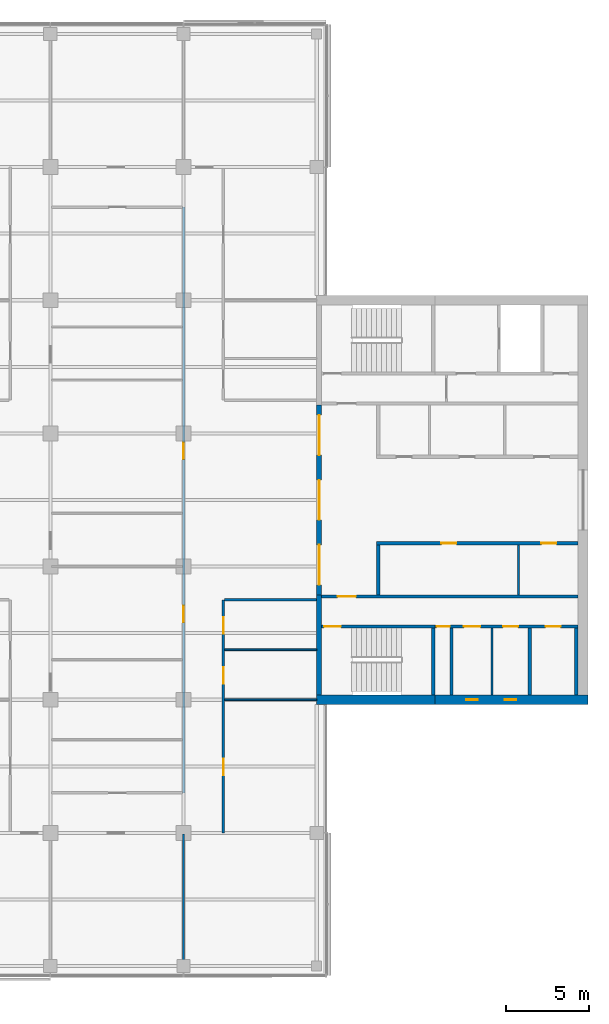
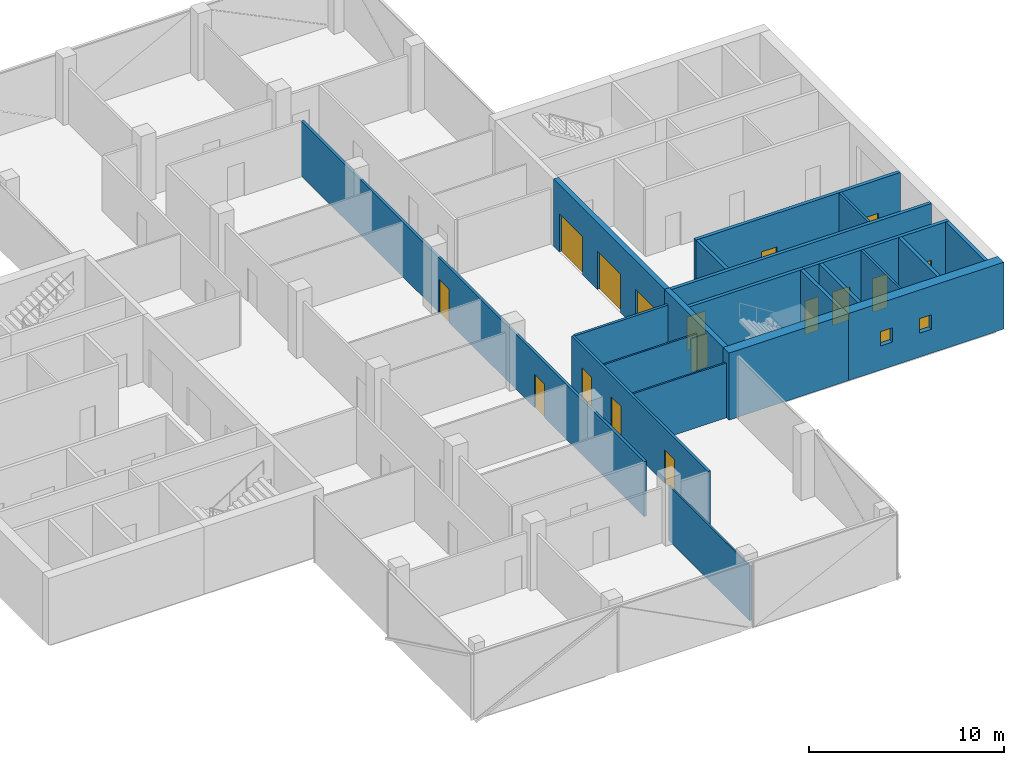
# One storey, part 10 of 15: 21 walls, 16 doors, 2 windows, 18 openings.
"""IFC4 building model written with IfcOpenShell, lengths in metres."""

from ifc_helpers import new_model, si_unit, direction, frame, frame_2d, origin, place, context, subcontext, project, spatial, rectangle, extrude, material, layer, layer_set, constituent, constituent_set, type_object, element, fill, save


model = new_model("IFC4")

# Units and contexts
model_context = context("Model", 3, precision=1e-05, world=origin(), true_north=direction((0.0, 1.0)))
body_context = subcontext(model_context, "Body", "Model", "MODEL_VIEW")
ifc_project = project(units=[si_unit("LENGTHUNIT", "METRE"), si_unit("AREAUNIT", "SQUARE_METRE"), si_unit("VOLUMEUNIT", "CUBIC_METRE"), si_unit("PLANEANGLEUNIT", "RADIAN"), si_unit("MASSUNIT", "GRAM", prefix="KILO")], contexts=[model_context])

# Site, building, storey
site_placement = place(None, origin())
site = spatial("IfcSite", under=ifc_project, at=site_placement, CompositionType="ELEMENT")
building_placement = place(site_placement, origin())
building = spatial("IfcBuilding", under=site, at=building_placement, Name="Crosswind Convention Tower", CompositionType="ELEMENT")
storey_placement = place(building_placement, frame((0.0, 0.0, 195.699951171875)))
storey = spatial("IfcBuildingStorey", under=building, at=storey_placement, Name="L41", CompositionType="ELEMENT", Elevation=195.699951171875)

# Wall
ifc_material_1 = material(Name="Concrete blockwork", Category="masonry")
ifc_layer_1 = layer(ifc_material_1, 0.199951171875)
ifc_layer_set_1 = layer_set([ifc_layer_1], Name="Blockwork partition wall 200")
wall_type_1 = type_object("IfcWallType", Name="Blockwork partition wall 200", PredefinedType="PARTITIONING", material=ifc_layer_set_1)
wall_1_placement = place(storey_placement, frame((145.10009765625, 88.300048828125, 0.0), z_axis=(0.0, 0.0, 1.0), x_axis=(0.0, 1.0, 0.0)))
element("IfcWall", 1, at=wall_1_placement, inside=storey, type_object=wall_type_1, Name="Wall MRSE E L41", PredefinedType="PARTITIONING", context=body_context, shape_type="SweptSolid", body=[
    extrude(rectangle(XDim=4.0, YDim=0.199951171875, at=frame_2d((2.0, 0.0))), origin(), (0.0, 0.0, 1.0), 4.199951171875),
])

# Wall, openings, doors
ifc_material_2 = material(Name="Concrete C50/60", Category="concrete")
ifc_layer_2 = layer(ifc_material_2, 0.300048828125)
ifc_layer_set_2 = layer_set([ifc_layer_2], Name="Concrete C50/60")
wall_type_2 = type_object("IfcWallType", Name="Concrete inner core wall 300", PredefinedType="SHEAR", material=ifc_layer_set_2)
wall_2_placement = place(storey_placement, frame((137.14990234375, 94.300048828125, 0.0), z_axis=(0.0, 0.0, 1.0), x_axis=(0.0, 1.0, 0.0)))
wall_2 = element("IfcWall", 2, at=wall_2_placement, inside=storey, type_object=wall_type_2, Name="Wall SCR E L41", PredefinedType="SHEAR", context=body_context, shape_type="SweptSolid", body=[
    extrude(rectangle(XDim=11.39990234375, YDim=0.300048828125, at=frame_2d((5.699951171875, 0.0))), origin(), (0.0, 0.0, 1.0), 4.199951171875),
])
opening_1_placement = place(wall_2_placement, frame((0.60009765625, 0.0, 0.0)))
opening_1 = element("IfcOpeningElement", 3, at=opening_1_placement, cuts=wall_2, Name="Opening D100", PredefinedType="OPENING", context=body_context, shape_type="SweptSolid", body=[
    extrude(rectangle(XDim=2.39990234375, YDim=2.39990234375, at=frame_2d((1.199951171875, 1.199951171875))), frame((0.0, 0.159912109375, 0.0), z_axis=(0.0, -1.0, 0.0), x_axis=(1.0, 0.0, 0.0)), (0.0, 0.0, 1.0), 0.320068359375),
])
opening_2_placement = place(wall_2_placement, frame((4.5, 0.0, 0.0)))
opening_2 = element("IfcOpeningElement", 4, at=opening_2_placement, cuts=wall_2, Name="Opening D100", PredefinedType="OPENING", context=body_context, shape_type="SweptSolid", body=[
    extrude(rectangle(XDim=2.39990234375, YDim=2.39990234375, at=frame_2d((1.199951171875, 1.199951171875))), frame((0.0, 0.159912109375, 0.0), z_axis=(0.0, -1.0, 0.0), x_axis=(1.0, 0.0, 0.0)), (0.0, 0.0, 1.0), 0.320068359375),
])
opening_3_placement = place(wall_2_placement, frame((8.39990234375, 0.0, 0.0)))
opening_3 = element("IfcOpeningElement", 5, at=opening_3_placement, cuts=wall_2, Name="Opening D100", PredefinedType="OPENING", context=body_context, shape_type="SweptSolid", body=[
    extrude(rectangle(XDim=2.39990234375, YDim=2.39990234375, at=frame_2d((1.199951171875, 1.199951171875))), frame((0.0, 0.159912109375, 0.0), z_axis=(0.0, -1.0, 0.0), x_axis=(1.0, 0.0, 0.0)), (0.0, 0.0, 1.0), 0.320068359375),
])
ifc_material_3 = material(Name="Steel fire door with glazed vision panels", Category="steel")
door_type_1 = type_object("IfcDoorType", Name="Fire-rated double door 2400x2400", OperationType="DOUBLE_DOOR_SINGLE_SWING", PredefinedType="DOOR", material=ifc_material_3)
door_1_placement = place(opening_1_placement, origin())
door_1 = element("IfcDoor", 6, at=door_1_placement, inside=storey, type_object=door_type_1, Name="Lobby door 1 L41", ObjectType="D100", OperationType="DOUBLE_DOOR_SINGLE_SWING", OverallHeight=2.39990234375, OverallWidth=2.39990234375, PredefinedType="DOOR", context=body_context, shape_type="SweptSolid", body=[
    extrude(rectangle(XDim=2.39990234375, YDim=2.39990234375, at=frame_2d((1.199951171875, 1.199951171875))), frame((0.0, 0.02490234375, 0.0), z_axis=(0.0, -1.0, 0.0), x_axis=(1.0, 0.0, 0.0)), (0.0, 0.0, 1.0), 0.050048828125),
])
fill(opening_1, door_1)
door_2_placement = place(opening_2_placement, origin())
door_2 = element("IfcDoor", 7, at=door_2_placement, inside=storey, type_object=door_type_1, Name="Lobby door 2 L41", ObjectType="D100", OperationType="DOUBLE_DOOR_SINGLE_SWING", OverallHeight=2.39990234375, OverallWidth=2.39990234375, PredefinedType="DOOR", context=body_context, shape_type="SweptSolid", body=[
    extrude(rectangle(XDim=2.39990234375, YDim=2.39990234375, at=frame_2d((1.199951171875, 1.199951171875))), frame((0.0, 0.02490234375, 0.0), z_axis=(0.0, -1.0, 0.0), x_axis=(1.0, 0.0, 0.0)), (0.0, 0.0, 1.0), 0.050048828125),
])
fill(opening_2, door_2)
door_3_placement = place(opening_3_placement, origin())
door_3 = element("IfcDoor", 8, at=door_3_placement, inside=storey, type_object=door_type_1, Name="Lobby door 3 L41", ObjectType="D100", OperationType="DOUBLE_DOOR_SINGLE_SWING", OverallHeight=2.39990234375, OverallWidth=2.39990234375, PredefinedType="DOOR", context=body_context, shape_type="SweptSolid", body=[
    extrude(rectangle(XDim=2.39990234375, YDim=2.39990234375, at=frame_2d((1.199951171875, 1.199951171875))), frame((0.0, 0.02490234375, 0.0), z_axis=(0.0, -1.0, 0.0), x_axis=(1.0, 0.0, 0.0)), (0.0, 0.0, 1.0), 0.050048828125),
])
fill(opening_3, door_3)

# Walls
wall_3_placement = place(storey_placement, frame((137.14990234375, 88.300048828125, 0.0), z_axis=(0.0, 0.0, 1.0), x_axis=(0.0, 1.0, 0.0)))
element("IfcWall", 9, at=wall_3_placement, inside=storey, type_object=wall_type_2, Name="Wall EM E L41", PredefinedType="SHEAR", context=body_context, shape_type="SweptSolid", body=[
    extrude(rectangle(XDim=6.0, YDim=0.300048828125, at=frame_2d((3.0, 0.0))), origin(), (0.0, 0.0, 1.0), 4.199951171875),
])
ifc_layer_3 = layer(ifc_material_2, 0.199951171875)
ifc_layer_set_3 = layer_set([ifc_layer_3], Name="Concrete C50/60")
wall_type_3 = type_object("IfcWallType", Name="Concrete shaft and stair wall 200", PredefinedType="SHEAR", material=ifc_layer_set_3)
wall_4_placement = place(storey_placement, frame((140.699951171875, 94.300048828125, 0.0), z_axis=(0.0, 0.0, 1.0), x_axis=(0.0, 1.0, 0.0)))
element("IfcWall", 10, at=wall_4_placement, inside=storey, type_object=wall_type_3, Name="Wall RMEND E L41", PredefinedType="SHEAR", context=body_context, shape_type="SweptSolid", body=[
    extrude(rectangle(XDim=3.0, YDim=0.199951171875, at=frame_2d((1.5, 0.0))), origin(), (0.0, 0.0, 1.0), 4.199951171875),
])

# Wall, openings, doors
wall_5_placement = place(storey_placement, frame((140.60009765625, 97.39990234375, 0.0), z_axis=(0.0, 0.0, 1.0), x_axis=(1.0, 0.0, 0.0)))
wall_5 = element("IfcWall", 11, at=wall_5_placement, inside=storey, type_object=wall_type_3, Name="Wall RMFRONT E L41", PredefinedType="SHEAR", context=body_context, shape_type="SweptSolid", body=[
    extrude(rectangle(XDim=12.099853515625, YDim=0.199951171875, at=frame_2d((6.0498046875, 0.0))), origin(), (0.0, 0.0, 1.0), 4.199951171875),
])
opening_4_placement = place(wall_5_placement, frame((3.8837890625, 0.0, 0.0)))
opening_4 = element("IfcOpeningElement", 12, at=opening_4_placement, cuts=wall_5, Name="Opening D106", PredefinedType="OPENING", context=body_context, shape_type="SweptSolid", body=[
    extrude(rectangle(XDim=0.89990234375, YDim=2.10009765625, at=frame_2d((0.449951171875, 1.050048828125))), frame((0.0, 0.10986328125, 0.0), z_axis=(0.0, -1.0, 0.0), x_axis=(1.0, 0.0, 0.0)), (0.0, 0.0, 1.0), 0.219970703125),
])
opening_5_placement = place(wall_5_placement, frame((9.896240234375, 0.0, 0.0)))
opening_5 = element("IfcOpeningElement", 13, at=opening_5_placement, cuts=wall_5, Name="Opening D106", PredefinedType="OPENING", context=body_context, shape_type="SweptSolid", body=[
    extrude(rectangle(XDim=0.89990234375, YDim=2.10009765625, at=frame_2d((0.449951171875, 1.050048828125))), frame((0.0, 0.10986328125, 0.0), z_axis=(0.0, -1.0, 0.0), x_axis=(1.0, 0.0, 0.0)), (0.0, 0.0, 1.0), 0.219970703125),
])
ifc_material_4 = material(Name="Timber door", Category="wood")
door_type_2 = type_object("IfcDoorType", Name="Single leaf door 900x2100", OperationType="NOTDEFINED", PredefinedType="DOOR", material=ifc_material_4)
door_4_placement = place(opening_4_placement, frame((0.89990234375, 0.0, 0.0), z_axis=(0.0, 0.0, 1.0), x_axis=(-1.0, 0.0, 0.0)))
door_4 = element("IfcDoor", 14, at=door_4_placement, inside=storey, type_object=door_type_2, Name="Door to pantry L41", ObjectType="D106", OperationType="SINGLE_SWING_LEFT", OverallHeight=2.10009765625, OverallWidth=0.89990234375, PredefinedType="DOOR", context=body_context, shape_type="SweptSolid", body=[
    extrude(rectangle(XDim=0.89990234375, YDim=2.10009765625, at=frame_2d((0.449951171875, 1.050048828125))), frame((0.0, 0.02490234375, 0.0), z_axis=(0.0, -1.0, 0.0), x_axis=(1.0, 0.0, 0.0)), (0.0, 0.0, 1.0), 0.050048828125),
])
fill(opening_4, door_4)
door_5_placement = place(opening_5_placement, frame((0.89990234375, 0.0, 0.0), z_axis=(0.0, 0.0, 1.0), x_axis=(-1.0, 0.0, 0.0)))
door_5 = element("IfcDoor", 15, at=door_5_placement, inside=storey, type_object=door_type_2, Name="Door to telecoms room L41", ObjectType="D106", OperationType="SINGLE_SWING_LEFT", OverallHeight=2.10009765625, OverallWidth=0.89990234375, PredefinedType="DOOR", context=body_context, shape_type="SweptSolid", body=[
    extrude(rectangle(XDim=0.89990234375, YDim=2.10009765625, at=frame_2d((0.449951171875, 1.050048828125))), frame((0.0, 0.02490234375, 0.0), z_axis=(0.0, -1.0, 0.0), x_axis=(1.0, 0.0, 0.0)), (0.0, 0.0, 1.0), 0.050048828125),
])
fill(opening_5, door_5)

# Wall, opening, door
wall_6_placement = place(storey_placement, frame((137.300048828125, 94.199951171875, 0.0), z_axis=(0.0, 0.0, 1.0), x_axis=(1.0, 0.0, 0.0)))
wall_6 = element("IfcWall", 16, at=wall_6_placement, inside=storey, type_object=wall_type_3, Name="Wall HM E L41", PredefinedType="SHEAR", context=body_context, shape_type="SweptSolid", body=[
    extrude(rectangle(XDim=15.39990234375, YDim=0.199951171875, at=frame_2d((7.699951171875, 0.0))), origin(), (0.0, 0.0, 1.0), 4.199951171875),
])
opening_6_placement = place(wall_6_placement, frame((0.949951171875, 0.0, 0.0)))
opening_6 = element("IfcOpeningElement", 17, at=opening_6_placement, cuts=wall_6, Name="Opening D104", PredefinedType="OPENING", context=body_context, shape_type="SweptSolid", body=[
    extrude(rectangle(XDim=1.10009765625, YDim=2.10009765625, at=frame_2d((0.550048828125, 1.050048828125))), frame((0.0, 0.10986328125, 0.0), z_axis=(0.0, -1.0, 0.0), x_axis=(1.0, 0.0, 0.0)), (0.0, 0.0, 1.0), 0.219970703125),
])
ifc_material_5 = material(Name="Steel fire door", Category="steel")
door_type_3 = type_object("IfcDoorType", Name="Fire-rated single door 1100x2100", OperationType="NOTDEFINED", PredefinedType="DOOR", material=ifc_material_5)
door_6_placement = place(opening_6_placement, origin())
door_6 = element("IfcDoor", 18, at=door_6_placement, inside=storey, type_object=door_type_3, Name="Corridor door L41", ObjectType="D104", OperationType="SINGLE_SWING_LEFT", OverallHeight=2.10009765625, OverallWidth=1.10009765625, PredefinedType="DOOR", context=body_context, shape_type="SweptSolid", body=[
    extrude(rectangle(XDim=1.10009765625, YDim=2.10009765625, at=frame_2d((0.550048828125, 1.050048828125))), frame((0.0, 0.02490234375, 0.0), z_axis=(0.0, -1.0, 0.0), x_axis=(1.0, 0.0, 0.0)), (0.0, 0.0, 1.0), 0.050048828125),
])
fill(opening_6, door_6)

# Walls
for number, where, z_axis, x_axis, name in (
    (19, (144.0, 88.300048828125, 0.0), (0.0, 0.0, 1.0), (0.0, 1.0, 0.0), "Wall MSE E L41"),
    (20, (149.800048828125, 88.300048828125, 0.0), (0.0, 0.0, 1.0), (0.0, 1.0, 0.0), "Wall MFSW E L41"),
    (21, (152.60009765625, 88.300048828125, 0.0), (0.0, 0.0, 1.0), (0.0, 1.0, 0.0), "Wall MFSE E L41"),
):
    element("IfcWall", number, at=place(storey_placement, frame(where, z_axis=z_axis, x_axis=x_axis)), inside=storey, type_object=wall_type_3, Name=name, PredefinedType="SHEAR", context=body_context, shape_type="SweptSolid", body=[
        extrude(rectangle(XDim=4.0, YDim=0.199951171875, at=frame_2d((2.0, 0.0))), origin(), (0.0, 0.0, 1.0), 4.199951171875),
    ])

# Wall, opening, door
wall_7_placement = place(storey_placement, frame((137.300048828125, 92.39990234375, 0.0), z_axis=(0.0, 0.0, 1.0), x_axis=(1.0, 0.0, 0.0)))
wall_7 = element("IfcWall", 22, at=wall_7_placement, inside=storey, type_object=wall_type_3, Name="Wall MCW E L41", PredefinedType="SHEAR", context=body_context, shape_type="SweptSolid", body=[
    extrude(rectangle(XDim=6.800048828125, YDim=0.199951171875, at=frame_2d((3.39990234375, 0.0))), origin(), (0.0, 0.0, 1.0), 4.199951171875),
])
opening_7_placement = place(wall_7_placement, frame((0.14990234375, 0.0, 0.0)))
opening_7 = element("IfcOpeningElement", 23, at=opening_7_placement, cuts=wall_7, Name="Opening D103", PredefinedType="OPENING", context=body_context, shape_type="SweptSolid", body=[
    extrude(rectangle(XDim=1.0, YDim=2.10009765625, at=frame_2d((0.5, 1.050048828125))), frame((0.0, 0.10986328125, 0.0), z_axis=(0.0, -1.0, 0.0), x_axis=(1.0, 0.0, 0.0)), (0.0, 0.0, 1.0), 0.219970703125),
])
door_type_4 = type_object("IfcDoorType", Name="Fire-rated single door 1000x2100", OperationType="NOTDEFINED", PredefinedType="DOOR", material=ifc_material_5)
door_7_placement = place(opening_7_placement, frame((1.0, 0.0, 0.0), z_axis=(0.0, 0.0, 1.0), x_axis=(-1.0, 0.0, 0.0)))
door_7 = element("IfcDoor", 24, at=door_7_placement, inside=storey, type_object=door_type_4, Name="Stair ST2 door L41", ObjectType="D103", OperationType="SINGLE_SWING_RIGHT", OverallHeight=2.10009765625, OverallWidth=1.0, PredefinedType="DOOR", context=body_context, shape_type="SweptSolid", body=[
    extrude(rectangle(XDim=1.0, YDim=2.10009765625, at=frame_2d((0.5, 1.050048828125))), frame((0.0, 0.02490234375, 0.0), z_axis=(0.0, -1.0, 0.0), x_axis=(1.0, 0.0, 0.0)), (0.0, 0.0, 1.0), 0.050048828125),
])
fill(opening_7, door_7)

# Wall, openings, doors
wall_8_placement = place(storey_placement, frame((144.10009765625, 92.39990234375, 0.0), z_axis=(0.0, 0.0, 1.0), x_axis=(1.0, 0.0, 0.0)))
wall_8 = element("IfcWall", 25, at=wall_8_placement, inside=storey, type_object=wall_type_3, Name="Wall MCX E L41", PredefinedType="SHEAR", context=body_context, shape_type="SweptSolid", body=[
    extrude(rectangle(XDim=8.599853515625, YDim=0.199951171875, at=frame_2d((4.2998046875, 0.0))), origin(), (0.0, 0.0, 1.0), 4.199951171875),
])
opening_8_placement = place(wall_8_placement, frame((0.10009765625, 0.0, 0.0)))
opening_8 = element("IfcOpeningElement", 26, at=opening_8_placement, cuts=wall_8, Name="Opening D105", PredefinedType="OPENING", context=body_context, shape_type="SweptSolid", body=[
    extrude(rectangle(XDim=0.800048828125, YDim=2.10009765625, at=frame_2d((0.39990234375, 1.050048828125))), frame((0.0, 0.10986328125, 0.0), z_axis=(0.0, -1.0, 0.0), x_axis=(1.0, 0.0, 0.0)), (0.0, 0.0, 1.0), 0.219970703125),
])
opening_9_placement = place(wall_8_placement, frame((1.73876953125, 0.0, 0.0)))
opening_9 = element("IfcOpeningElement", 27, at=opening_9_placement, cuts=wall_8, Name="Opening D103", PredefinedType="OPENING", context=body_context, shape_type="SweptSolid", body=[
    extrude(rectangle(XDim=1.0, YDim=2.10009765625, at=frame_2d((0.5, 1.050048828125))), frame((0.0, 0.10986328125, 0.0), z_axis=(0.0, -1.0, 0.0), x_axis=(1.0, 0.0, 0.0)), (0.0, 0.0, 1.0), 0.219970703125),
])
opening_10_placement = place(wall_8_placement, frame((4.101318359375, 0.0, 0.0)))
opening_10 = element("IfcOpeningElement", 28, at=opening_10_placement, cuts=wall_8, Name="Opening D106", PredefinedType="OPENING", context=body_context, shape_type="SweptSolid", body=[
    extrude(rectangle(XDim=0.89990234375, YDim=2.10009765625, at=frame_2d((0.449951171875, 1.050048828125))), frame((0.0, 0.10986328125, 0.0), z_axis=(0.0, -1.0, 0.0), x_axis=(1.0, 0.0, 0.0)), (0.0, 0.0, 1.0), 0.219970703125),
])
opening_11_placement = place(wall_8_placement, frame((6.64990234375, 0.0, 0.0)))
opening_11 = element("IfcOpeningElement", 29, at=opening_11_placement, cuts=wall_8, Name="Opening D106", PredefinedType="OPENING", context=body_context, shape_type="SweptSolid", body=[
    extrude(rectangle(XDim=0.89990234375, YDim=2.10009765625, at=frame_2d((0.449951171875, 1.050048828125))), frame((0.0, 0.10986328125, 0.0), z_axis=(0.0, -1.0, 0.0), x_axis=(1.0, 0.0, 0.0)), (0.0, 0.0, 1.0), 0.219970703125),
])
door_8_placement = place(opening_9_placement, frame((1.0, 0.0, 0.0), z_axis=(0.0, 0.0, 1.0), x_axis=(-1.0, 0.0, 0.0)))
door_8 = element("IfcDoor", 30, at=door_8_placement, inside=storey, type_object=door_type_4, Name="Door to accessible wc L41", ObjectType="D103", OperationType="SINGLE_SWING_LEFT", OverallHeight=2.10009765625, OverallWidth=1.0, PredefinedType="DOOR", context=body_context, shape_type="SweptSolid", body=[
    extrude(rectangle(XDim=1.0, YDim=2.10009765625, at=frame_2d((0.5, 1.050048828125))), frame((0.0, 0.02490234375, 0.0), z_axis=(0.0, -1.0, 0.0), x_axis=(1.0, 0.0, 0.0)), (0.0, 0.0, 1.0), 0.050048828125),
])
fill(opening_9, door_8)
door_type_5 = type_object("IfcDoorType", Name="Riser access door 800x2100", OperationType="NOTDEFINED", PredefinedType="DOOR", material=ifc_material_5)
door_9_placement = place(opening_8_placement, frame((0.800048828125, 0.0, 0.0), z_axis=(0.0, 0.0, 1.0), x_axis=(-1.0, 0.0, 0.0)))
door_9 = element("IfcDoor", 31, at=door_9_placement, inside=storey, type_object=door_type_5, Name="Riser door L41", ObjectType="D105", OperationType="SINGLE_SWING_LEFT", OverallHeight=2.10009765625, OverallWidth=0.800048828125, PredefinedType="DOOR", context=body_context, shape_type="SweptSolid", body=[
    extrude(rectangle(XDim=0.800048828125, YDim=2.10009765625, at=frame_2d((0.39990234375, 1.050048828125))), frame((0.0, 0.02490234375, 0.0), z_axis=(0.0, -1.0, 0.0), x_axis=(1.0, 0.0, 0.0)), (0.0, 0.0, 1.0), 0.050048828125),
])
fill(opening_8, door_9)
door_10_placement = place(opening_10_placement, frame((0.89990234375, 0.0, 0.0), z_axis=(0.0, 0.0, 1.0), x_axis=(-1.0, 0.0, 0.0)))
door_10 = element("IfcDoor", 32, at=door_10_placement, inside=storey, type_object=door_type_2, Name="Door to wc L41", ObjectType="D106", OperationType="SINGLE_SWING_LEFT", OverallHeight=2.10009765625, OverallWidth=0.89990234375, PredefinedType="DOOR", context=body_context, shape_type="SweptSolid", body=[
    extrude(rectangle(XDim=0.89990234375, YDim=2.10009765625, at=frame_2d((0.449951171875, 1.050048828125))), frame((0.0, 0.02490234375, 0.0), z_axis=(0.0, -1.0, 0.0), x_axis=(1.0, 0.0, 0.0)), (0.0, 0.0, 1.0), 0.050048828125),
])
fill(opening_10, door_10)
door_11_placement = place(opening_11_placement, frame((0.89990234375, 0.0, 0.0), z_axis=(0.0, 0.0, 1.0), x_axis=(-1.0, 0.0, 0.0)))
door_11 = element("IfcDoor", 33, at=door_11_placement, inside=storey, type_object=door_type_2, Name="Door to wc L41", ObjectType="D106", OperationType="SINGLE_SWING_LEFT", OverallHeight=2.10009765625, OverallWidth=0.89990234375, PredefinedType="DOOR", context=body_context, shape_type="SweptSolid", body=[
    extrude(rectangle(XDim=0.89990234375, YDim=2.10009765625, at=frame_2d((0.449951171875, 1.050048828125))), frame((0.0, 0.02490234375, 0.0), z_axis=(0.0, -1.0, 0.0), x_axis=(1.0, 0.0, 0.0)), (0.0, 0.0, 1.0), 0.050048828125),
])
fill(opening_11, door_11)

# Walls
ifc_material_6 = material(Name="Gypsum plasterboard partition", Category="gypsum")
ifc_layer_4 = layer(ifc_material_6, 0.125)
ifc_layer_set_4 = layer_set([ifc_layer_4], Name="Drywall partition wall 125")
wall_type_4 = type_object("IfcWallType", Name="Drywall partition wall 125", PredefinedType="PARTITIONING", material=ifc_layer_set_4)
wall_9_placement = place(storey_placement, frame((149.1298828125, 94.300048828125, 0.0), z_axis=(0.0, 0.0, 1.0), x_axis=(0.0, 1.0, 0.0)))
element("IfcWall", 34, at=wall_9_placement, inside=storey, type_object=wall_type_4, Name="Wall RMP1 E L41", PredefinedType="PARTITIONING", context=body_context, shape_type="SweptSolid", body=[
    extrude(rectangle(XDim=3.0, YDim=0.125, at=frame_2d((1.5, 0.0))), origin(), (0.0, 0.0, 1.0), 4.199951171875),
])
wall_10_placement = place(storey_placement, frame((147.5400390625, 88.300048828125, 0.0), z_axis=(0.0, 0.0, 1.0), x_axis=(0.0, 1.0, 0.0)))
element("IfcWall", 35, at=wall_10_placement, inside=storey, type_object=wall_type_4, Name="Wall MWP1 E L41", PredefinedType="PARTITIONING", context=body_context, shape_type="SweptSolid", body=[
    extrude(rectangle(XDim=4.0, YDim=0.125, at=frame_2d((2.0, 0.0))), origin(), (0.0, 0.0, 1.0), 4.199951171875),
])
ifc_material_7 = material(Name="Plasterboard partition", Category="gypsum")
ifc_layer_5 = layer(ifc_material_7, 0.10009765625)
ifc_layer_set_5 = layer_set([ifc_layer_5], Name="PARTITION 100 METAL STUD")
wall_type_5 = type_object("IfcWallType", Name="PARTITION 100 METAL STUD", PredefinedType="PARTITIONING", material=ifc_layer_set_5)
wall_11_placement = place(storey_placement, frame((129.0, 71.6298828125, 0.0), z_axis=(0.0, 0.0, 1.0), x_axis=(0.0, 1.0, 0.0)))
element("IfcWall", 36, at=wall_11_placement, inside=storey, type_object=wall_type_5, Name="Partition wall WT40", PredefinedType="PARTITIONING", context=body_context, shape_type="SweptSolid", body=[
    extrude(rectangle(XDim=8.295166015625, YDim=0.10009765625, at=frame_2d((4.1474609375, 0.0))), origin(), (0.0, 0.0, 1.0), 3.43994140625),
])
for number, where, z_axis, x_axis, name in (
    (37, (131.47509765625, 88.0, 0.0), (0.0, 0.0, 1.0), (1.0, 0.0, 0.0), "Partition wall WT40"),
    (38, (131.47509765625, 91.0, 0.0), (0.0, 0.0, 1.0), (1.0, 0.0, 0.0), "Partition wall WT40"),
):
    element("IfcWall", number, at=place(storey_placement, frame(where, z_axis=z_axis, x_axis=x_axis)), inside=storey, type_object=wall_type_5, Name=name, PredefinedType="PARTITIONING", context=body_context, shape_type="SweptSolid", body=[
        extrude(rectangle(XDim=5.52490234375, YDim=0.10009765625, at=frame_2d((2.762451171875, 0.0))), origin(), (0.0, 0.0, 1.0), 3.43994140625),
    ])

# Wall, openings, doors
ifc_material_8 = material(Name="Fire-board partition with mineral wool", Category="gypsum")
ifc_layer_6 = layer(ifc_material_8, 0.14990234375)
ifc_layer_set_6 = layer_set([ifc_layer_6], Name="TENANCY WALL 150 TWO-HOUR BOARD")
wall_type_6 = type_object("IfcWallType", Name="TENANCY WALL 150 TWO-HOUR BOARD", PredefinedType="PARTITIONING", material=ifc_layer_set_6)
wall_12_placement = place(storey_placement, frame((129.0, 82.39990234375, 0.0), z_axis=(0.0, 0.0, 1.0), x_axis=(0.0, 1.0, 0.0)))
wall_12 = element("IfcWall", 39, at=wall_12_placement, inside=storey, type_object=wall_type_6, Name="Tenancy wall WT41", PredefinedType="PARTITIONING", context=body_context, shape_type="SweptSolid", body=[
    extrude(rectangle(XDim=35.2001953125, YDim=0.14990234375, at=frame_2d((17.60009765625, 0.0))), origin(), (0.0, 0.0, 1.0), 3.43994140625),
])
opening_12_placement = place(wall_12_placement, frame((10.25, 0.0, 0.0)))
opening_12 = element("IfcOpeningElement", 40, at=opening_12_placement, cuts=wall_12, Name="Opening L41-66", PredefinedType="OPENING", context=body_context, shape_type="SweptSolid", body=[
    extrude(rectangle(XDim=1.0, YDim=2.10009765625, at=frame_2d((0.5, 1.050048828125))), frame((0.0, 0.0849609375, 0.0), z_axis=(0.0, -1.0, 0.0), x_axis=(1.0, 0.0, 0.0)), (0.0, 0.0, 1.0), 0.169921875),
])
opening_13_placement = place(wall_12_placement, frame((20.050048828125, 0.0, 0.0)))
opening_13 = element("IfcOpeningElement", 41, at=opening_13_placement, cuts=wall_12, Name="Opening L41-68", PredefinedType="OPENING", context=body_context, shape_type="SweptSolid", body=[
    extrude(rectangle(XDim=1.0, YDim=2.10009765625, at=frame_2d((0.5, 1.050048828125))), frame((0.0, 0.0849609375, 0.0), z_axis=(0.0, -1.0, 0.0), x_axis=(1.0, 0.0, 0.0)), (0.0, 0.0, 1.0), 0.169921875),
])
ifc_material_9 = material(Name="Timber fire door", Category="wood")
door_type_6 = type_object("IfcDoorType", Name="TENANCY ENTRANCE DOOR 1000X2100 FD30S", OperationType="NOTDEFINED", PredefinedType="DOOR", material=ifc_material_9)
door_12_placement = place(opening_12_placement, origin())
door_12 = element("IfcDoor", 42, at=door_12_placement, inside=storey, type_object=door_type_6, Name="Door L41-66", ObjectType="D41", OperationType="SINGLE_SWING_RIGHT", OverallHeight=2.10009765625, OverallWidth=1.0, PredefinedType="DOOR", context=body_context, shape_type="SweptSolid", body=[
    extrude(rectangle(XDim=1.0, YDim=2.10009765625, at=frame_2d((0.5, 1.050048828125))), frame((0.0, 0.02490234375, 0.0), z_axis=(0.0, -1.0, 0.0), x_axis=(1.0, 0.0, 0.0)), (0.0, 0.0, 1.0), 0.050048828125),
])
fill(opening_12, door_12)
door_13_placement = place(opening_13_placement, origin())
door_13 = element("IfcDoor", 43, at=door_13_placement, inside=storey, type_object=door_type_6, Name="Door L41-68", ObjectType="D41", OperationType="SINGLE_SWING_RIGHT", OverallHeight=2.10009765625, OverallWidth=1.0, PredefinedType="DOOR", context=body_context, shape_type="SweptSolid", body=[
    extrude(rectangle(XDim=1.0, YDim=2.10009765625, at=frame_2d((0.5, 1.050048828125))), frame((0.0, 0.02490234375, 0.0), z_axis=(0.0, -1.0, 0.0), x_axis=(1.0, 0.0, 0.0)), (0.0, 0.0, 1.0), 0.050048828125),
])
fill(opening_13, door_13)

wall_13_placement = place(storey_placement, frame((131.39990234375, 80.0, 0.0), z_axis=(0.0, 0.0, 1.0), x_axis=(0.0, 1.0, 0.0)))
wall_13 = element("IfcWall", 44, at=wall_13_placement, inside=storey, type_object=wall_type_6, Name="Tenancy wall WT41", PredefinedType="PARTITIONING", context=body_context, shape_type="SweptSolid", body=[
    extrude(rectangle(XDim=14.0, YDim=0.14990234375, at=frame_2d((7.0, 0.0))), origin(), (0.0, 0.0, 1.0), 3.43994140625),
])
opening_14_placement = place(wall_13_placement, frame((11.949951171875, 0.0, 0.0)))
opening_14 = element("IfcOpeningElement", 45, at=opening_14_placement, cuts=wall_13, Name="Opening L41-53", PredefinedType="OPENING", context=body_context, shape_type="SweptSolid", body=[
    extrude(rectangle(XDim=1.0, YDim=2.10009765625, at=frame_2d((0.5, 1.050048828125))), frame((0.0, 0.0849609375, 0.0), z_axis=(0.0, -1.0, 0.0), x_axis=(1.0, 0.0, 0.0)), (0.0, 0.0, 1.0), 0.169921875),
])
opening_15_placement = place(wall_13_placement, frame((8.949951171875, 0.0, 0.0)))
opening_15 = element("IfcOpeningElement", 46, at=opening_15_placement, cuts=wall_13, Name="Opening L41-54", PredefinedType="OPENING", context=body_context, shape_type="SweptSolid", body=[
    extrude(rectangle(XDim=1.0, YDim=2.10009765625, at=frame_2d((0.5, 1.050048828125))), frame((0.0, 0.0849609375, 0.0), z_axis=(0.0, -1.0, 0.0), x_axis=(1.0, 0.0, 0.0)), (0.0, 0.0, 1.0), 0.169921875),
])
opening_16_placement = place(wall_13_placement, frame((3.449951171875, 0.0, 0.0)))
opening_16 = element("IfcOpeningElement", 47, at=opening_16_placement, cuts=wall_13, Name="Opening L41-55", PredefinedType="OPENING", context=body_context, shape_type="SweptSolid", body=[
    extrude(rectangle(XDim=1.0, YDim=2.10009765625, at=frame_2d((0.5, 1.050048828125))), frame((0.0, 0.0849609375, 0.0), z_axis=(0.0, -1.0, 0.0), x_axis=(1.0, 0.0, 0.0)), (0.0, 0.0, 1.0), 0.169921875),
])
door_14_placement = place(opening_14_placement, frame((1.0, 0.0, 0.0), z_axis=(0.0, 0.0, 1.0), x_axis=(-1.0, 0.0, 0.0)))
door_14 = element("IfcDoor", 48, at=door_14_placement, inside=storey, type_object=door_type_6, Name="Door L41-53", ObjectType="D41", OperationType="SINGLE_SWING_RIGHT", OverallHeight=2.10009765625, OverallWidth=1.0, PredefinedType="DOOR", context=body_context, shape_type="SweptSolid", body=[
    extrude(rectangle(XDim=1.0, YDim=2.10009765625, at=frame_2d((0.5, 1.050048828125))), frame((0.0, 0.02490234375, 0.0), z_axis=(0.0, -1.0, 0.0), x_axis=(1.0, 0.0, 0.0)), (0.0, 0.0, 1.0), 0.050048828125),
])
fill(opening_14, door_14)
door_15_placement = place(opening_15_placement, frame((1.0, 0.0, 0.0), z_axis=(0.0, 0.0, 1.0), x_axis=(-1.0, 0.0, 0.0)))
door_15 = element("IfcDoor", 49, at=door_15_placement, inside=storey, type_object=door_type_6, Name="Door L41-54", ObjectType="D41", OperationType="SINGLE_SWING_RIGHT", OverallHeight=2.10009765625, OverallWidth=1.0, PredefinedType="DOOR", context=body_context, shape_type="SweptSolid", body=[
    extrude(rectangle(XDim=1.0, YDim=2.10009765625, at=frame_2d((0.5, 1.050048828125))), frame((0.0, 0.02490234375, 0.0), z_axis=(0.0, -1.0, 0.0), x_axis=(1.0, 0.0, 0.0)), (0.0, 0.0, 1.0), 0.050048828125),
])
fill(opening_15, door_15)
door_16_placement = place(opening_16_placement, frame((1.0, 0.0, 0.0), z_axis=(0.0, 0.0, 1.0), x_axis=(-1.0, 0.0, 0.0)))
door_16 = element("IfcDoor", 50, at=door_16_placement, inside=storey, type_object=door_type_6, Name="Door L41-55", ObjectType="D41", OperationType="SINGLE_SWING_LEFT", OverallHeight=2.10009765625, OverallWidth=1.0, PredefinedType="DOOR", context=body_context, shape_type="SweptSolid", body=[
    extrude(rectangle(XDim=1.0, YDim=2.10009765625, at=frame_2d((0.5, 1.050048828125))), frame((0.0, 0.02490234375, 0.0), z_axis=(0.0, -1.0, 0.0), x_axis=(1.0, 0.0, 0.0)), (0.0, 0.0, 1.0), 0.050048828125),
])
fill(opening_16, door_16)

# Walls
wall_14_placement = place(storey_placement, frame((131.47509765625, 94.0, 0.0), z_axis=(0.0, 0.0, 1.0), x_axis=(1.0, 0.0, 0.0)))
element("IfcWall", 51, at=wall_14_placement, inside=storey, type_object=wall_type_6, Name="Tenancy wall WT41", PredefinedType="PARTITIONING", context=body_context, shape_type="SweptSolid", body=[
    extrude(rectangle(XDim=5.52490234375, YDim=0.14990234375, at=frame_2d((2.762451171875, 0.0))), origin(), (0.0, 0.0, 1.0), 3.43994140625),
])
ifc_material_10 = material(Name="Concrete C60/75", Category="concrete")
ifc_constituent_1 = constituent(ifc_material_10, Name="Structure")
ifc_material_11 = material(Name="Terracotta rainscreen", Category="ceramic")
ifc_constituent_2 = constituent(ifc_material_11, Name="Facing")
ifc_constituent_set = constituent_set(constituents=[ifc_constituent_1, ifc_constituent_2], Name="Concrete C60/75, Terracotta rainscreen")
wall_type_7 = type_object("IfcWallType", Name="Terracotta rainscreen on concrete core wall 600", PredefinedType="SHEAR", material=ifc_constituent_set)
wall_15_placement = place(storey_placement, frame((137.0, 88.0, 0.0), z_axis=(0.0, 0.0, 1.0), x_axis=(1.0, 0.0, 0.0)))
element("IfcWall", 52, at=wall_15_placement, inside=storey, type_object=wall_type_7, Name="Wall S1 E L41", PredefinedType="SHEAR", context=body_context, shape_type="SweptSolid", body=[
    extrude(rectangle(XDim=7.10009765625, YDim=0.60009765625, at=frame_2d((3.550048828125, 0.0))), origin(), (0.0, 0.0, 1.0), 4.199951171875),
])

# Wall, openings, windows
wall_16_placement = place(storey_placement, frame((144.10009765625, 88.0, 0.0), z_axis=(0.0, 0.0, 1.0), x_axis=(1.0, 0.0, 0.0)))
wall_16 = element("IfcWall", 53, at=wall_16_placement, inside=storey, type_object=wall_type_7, Name="Wall S2 E L41", PredefinedType="SHEAR", context=body_context, shape_type="SweptSolid", body=[
    extrude(rectangle(XDim=9.199951171875, YDim=0.60009765625, at=frame_2d((4.60009765625, 0.0))), origin(), (0.0, 0.0, 1.0), 4.199951171875),
])
opening_17_placement = place(wall_16_placement, frame((1.888671875, 0.0, 1.5)))
opening_17 = element("IfcOpeningElement", 54, at=opening_17_placement, cuts=wall_16, Name="Opening W2", PredefinedType="OPENING", context=body_context, shape_type="SweptSolid", body=[
    extrude(rectangle(XDim=0.699951171875, YDim=0.89990234375, at=frame_2d((0.35009765625, 0.449951171875))), frame((0.0, 0.31005859375, 0.0), z_axis=(0.0, -1.0, 0.0), x_axis=(1.0, 0.0, 0.0)), (0.0, 0.0, 1.0), 0.6201171875),
])
opening_18_placement = place(wall_16_placement, frame((4.201171875, 0.0, 1.5)))
opening_18 = element("IfcOpeningElement", 55, at=opening_18_placement, cuts=wall_16, Name="Opening W2", PredefinedType="OPENING", context=body_context, shape_type="SweptSolid", body=[
    extrude(rectangle(XDim=0.699951171875, YDim=0.89990234375, at=frame_2d((0.35009765625, 0.449951171875))), frame((0.0, 0.31005859375, 0.0), z_axis=(0.0, -1.0, 0.0), x_axis=(1.0, 0.0, 0.0)), (0.0, 0.0, 1.0), 0.6201171875),
])
ifc_material_12 = material(Name="Obscure glass in aluminium frame", Category="aluminium")
window_type = type_object("IfcWindowType", Name="WC window 700x900", PartitioningType="SINGLE_PANEL", PredefinedType="WINDOW", material=ifc_material_12)
window_1_placement = place(opening_17_placement, origin())
window_1 = element("IfcWindow", 56, at=window_1_placement, inside=storey, type_object=window_type, Name="WC window L41", ObjectType="W2", OverallHeight=0.89990234375, OverallWidth=0.699951171875, PartitioningType="SINGLE_PANEL", PredefinedType="WINDOW", context=body_context, shape_type="SweptSolid", body=[
    extrude(rectangle(XDim=0.699951171875, YDim=0.89990234375, at=frame_2d((0.35009765625, 0.449951171875))), frame((0.0, 0.030029296875, 0.0), z_axis=(0.0, -1.0, 0.0), x_axis=(1.0, 0.0, 0.0)), (0.0, 0.0, 1.0), 0.06005859375),
])
fill(opening_17, window_1)
window_2_placement = place(opening_18_placement, origin())
window_2 = element("IfcWindow", 57, at=window_2_placement, inside=storey, type_object=window_type, Name="WC window L41", ObjectType="W2", OverallHeight=0.89990234375, OverallWidth=0.699951171875, PartitioningType="SINGLE_PANEL", PredefinedType="WINDOW", context=body_context, shape_type="SweptSolid", body=[
    extrude(rectangle(XDim=0.699951171875, YDim=0.89990234375, at=frame_2d((0.35009765625, 0.449951171875))), frame((0.0, 0.030029296875, 0.0), z_axis=(0.0, -1.0, 0.0), x_axis=(1.0, 0.0, 0.0)), (0.0, 0.0, 1.0), 0.06005859375),
])
fill(opening_18, window_2)

save(model, "model.ifc")
